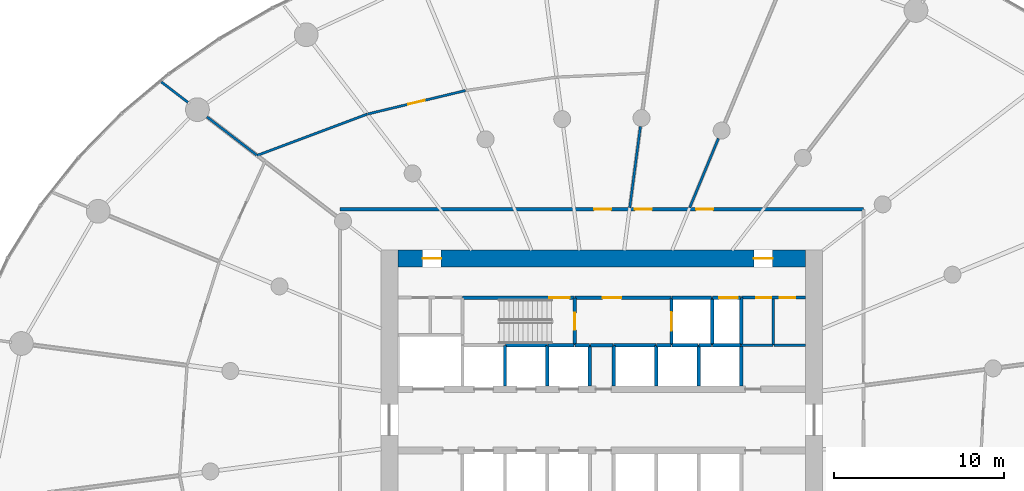
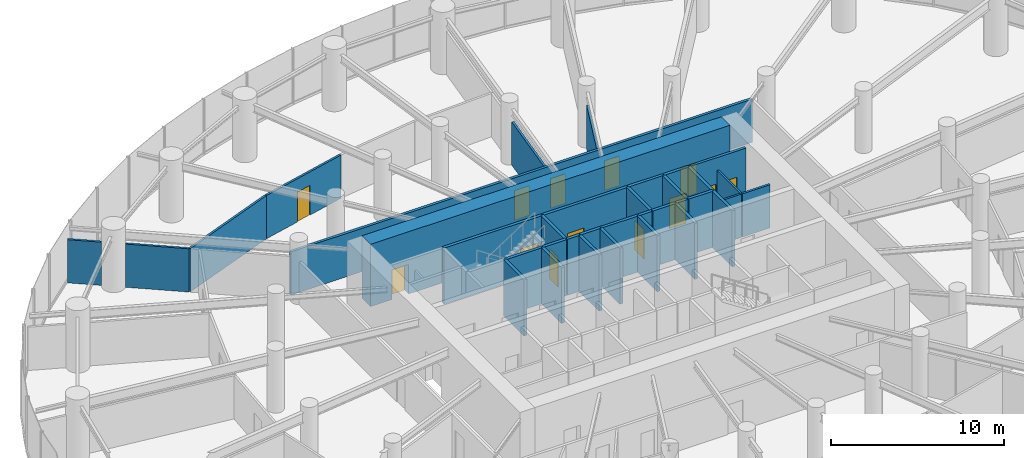
# One storey, part 15 of 19: 36 walls, 13 doors, 13 openings.
"""IFC4 building model written with IfcOpenShell, lengths in metres."""

from ifc_helpers import new_model, si_unit, direction, frame, frame_2d, origin, place, context, subcontext, project, spatial, rectangle, extrude, source, transform, mapped, material, layer, layer_set, type_object, element, fill, save


model = new_model("IFC4")

# Units and contexts
model_context = context("Model", 3, precision=1e-05, world=origin(), true_north=direction((0.0, 1.0)))
body_context = subcontext(model_context, "Body", "Model", "MODEL_VIEW")
ifc_project = project(units=[si_unit("LENGTHUNIT", "METRE"), si_unit("AREAUNIT", "SQUARE_METRE"), si_unit("VOLUMEUNIT", "CUBIC_METRE"), si_unit("PLANEANGLEUNIT", "RADIAN"), si_unit("MASSUNIT", "GRAM", prefix="KILO")], contexts=[model_context])

# Site, building, storey
site_placement = place(None, origin())
site = spatial("IfcSite", under=ifc_project, at=site_placement, CompositionType="ELEMENT")
building_placement = place(site_placement, origin())
building = spatial("IfcBuilding", under=site, at=building_placement, Name="Spindrift Exchange Tower", CompositionType="ELEMENT")
storey_placement = place(building_placement, frame((0.0, 0.0, 49.0)))
storey = spatial("IfcBuildingStorey", under=building, at=storey_placement, Name="L11", CompositionType="ELEMENT", Elevation=49.0)

# Wall, openings, doors
ifc_material_1 = material(Name="Concrete 80 MPa", Category="concrete")
ifc_layer_1 = layer(ifc_material_1, 1.0)
ifc_layer_set_1 = layer_set([ifc_layer_1], Name="RC Core Wall 1000 Concrete 80 MPa")
wall_type_1 = type_object("IfcWallType", Name="RC Core Wall 1000 Concrete 80 MPa", PredefinedType="SHEAR", material=ifc_layer_set_1)
wall_1_placement = place(storey_placement, frame((64.0, 57.5, 0.0), z_axis=(0.0, 0.0, 1.0), x_axis=(-1.0, 0.0, 0.0)))
wall_1 = element("IfcWall", 1, at=wall_1_placement, inside=storey, type_object=wall_type_1, Name="Core wall N L11", PredefinedType="SHEAR", context=body_context, shape_type="SweptSolid", body=[
    extrude(rectangle(XDim=24.0, YDim=1.0, at=frame_2d((12.0, 0.0))), origin(), (0.0, 0.0, 1.0), 4.39990234375),
])
opening_1_placement = place(wall_1_placement, frame((21.449951171875, 0.0, 0.0)))
opening_1 = element("IfcOpeningElement", 2, at=opening_1_placement, cuts=wall_1, Name="Opening L11-D20", PredefinedType="OPENING", context=body_context, shape_type="SweptSolid", body=[
    extrude(rectangle(XDim=1.10009765625, YDim=2.10009765625, at=frame_2d((0.550048828125, 1.050048828125))), frame((0.0, 0.510009765625, 0.0), z_axis=(0.0, -1.0, 0.0), x_axis=(1.0, 0.0, 0.0)), (0.0, 0.0, 1.0), 1.02001953125),
])
opening_2_placement = place(wall_1_placement, frame((1.949951171875, 0.0, 0.0)))
opening_2 = element("IfcOpeningElement", 3, at=opening_2_placement, cuts=wall_1, Name="Opening L11-D21", PredefinedType="OPENING", context=body_context, shape_type="SweptSolid", body=[
    extrude(rectangle(XDim=1.10009765625, YDim=2.10009765625, at=frame_2d((0.550048828125, 1.050048828125))), frame((0.0, 0.510009765625, 0.0), z_axis=(0.0, -1.0, 0.0), x_axis=(1.0, 0.0, 0.0)), (0.0, 0.0, 1.0), 1.02001953125),
])
ifc_material_2 = material(Name="Steel fire door", Category="steel")
door_type_1 = type_object("IfcDoorType", Name="DR-STAIR-1100", OperationType="NOTDEFINED", PredefinedType="DOOR", material=ifc_material_2)
shared_shape_1 = source(origin(), body_context, "Body", "SweptSolid", [
    extrude(rectangle(XDim=1.10009765625, YDim=2.10009765625, at=frame_2d((0.550048828125, 1.050048828125))), frame((0.0, 0.02490234375, 0.0), z_axis=(0.0, -1.0, 0.0), x_axis=(1.0, 0.0, 0.0)), (0.0, 0.0, 1.0), 0.050048828125),
])
door_1_placement = place(opening_1_placement, origin())
door_1 = element("IfcDoor", 4, at=door_1_placement, inside=storey, type_object=door_type_1, Name="L11 Stair door 20", OperationType="SINGLE_SWING_LEFT", OverallHeight=2.10009765625, OverallWidth=1.10009765625, PredefinedType="DOOR", context=body_context, shape_type="MappedRepresentation", body=[
    mapped(shared_shape_1, transform((0.0, 0.0, 0.0), scale=1.0)),
])
fill(opening_1, door_1)
door_2_placement = place(opening_2_placement, origin())
door_2 = element("IfcDoor", 5, at=door_2_placement, inside=storey, type_object=door_type_1, Name="L11 Stair door 21", OperationType="SINGLE_SWING_RIGHT", OverallHeight=2.10009765625, OverallWidth=1.10009765625, PredefinedType="DOOR", context=body_context, shape_type="MappedRepresentation", body=[
    mapped(shared_shape_1, transform((0.0, 0.0, 0.0), scale=1.0)),
])
fill(opening_2, door_2)

ifc_material_3 = material(Name="Fire-rated plasterboard partition", Category="gypsum")
ifc_layer_2 = layer(ifc_material_3, 0.179931640625)
ifc_layer_set_2 = layer_set([ifc_layer_2], Name="W-CORR-180")
wall_type_2 = type_object("IfcWallType", Name="W-CORR-180", PredefinedType="PARTITIONING", material=ifc_layer_set_2)
wall_2_placement = place(storey_placement, frame((63.97998046875, 55.199951171875, 0.0), z_axis=(0.0, 0.0, 1.0), x_axis=(-1.0, 0.0, 0.0)))
wall_2 = element("IfcWall", 6, at=wall_2_placement, inside=storey, type_object=wall_type_2, Name="L11 Partition wall 64", PredefinedType="PARTITIONING", context=body_context, shape_type="SweptSolid", body=[
    extrude(rectangle(XDim=3.75, YDim=0.179931640625, at=frame_2d((1.875, 0.0))), origin(), (0.0, 0.0, 1.0), 3.949951171875),
])
opening_3_placement = place(wall_2_placement, frame((2.0, 0.0, 0.0)))
opening_3 = element("IfcOpeningElement", 7, at=opening_3_placement, cuts=wall_2, Name="Opening L11-D51", PredefinedType="OPENING", context=body_context, shape_type="SweptSolid", body=[
    extrude(rectangle(XDim=0.89990234375, YDim=2.10009765625, at=frame_2d((0.449951171875, 1.050048828125))), frame((0.0, 0.099853515625, 0.0), z_axis=(0.0, -1.0, 0.0), x_axis=(1.0, 0.0, 0.0)), (0.0, 0.0, 1.0), 0.199951171875),
])
opening_4_placement = place(wall_2_placement, frame((0.60009765625, 0.0, 0.0)))
opening_4 = element("IfcOpeningElement", 8, at=opening_4_placement, cuts=wall_2, Name="Opening L11-D52", PredefinedType="OPENING", context=body_context, shape_type="SweptSolid", body=[
    extrude(rectangle(XDim=0.89990234375, YDim=2.10009765625, at=frame_2d((0.449951171875, 1.050048828125))), frame((0.0, 0.099853515625, 0.0), z_axis=(0.0, -1.0, 0.0), x_axis=(1.0, 0.0, 0.0)), (0.0, 0.0, 1.0), 0.199951171875),
])
ifc_material_4 = material(Name="Steel access door", Category="steel")
door_type_2 = type_object("IfcDoorType", Name="DR-RISER-900", OperationType="NOTDEFINED", PredefinedType="DOOR", material=ifc_material_4)
shared_shape_2 = source(origin(), body_context, "Body", "SweptSolid", [
    extrude(rectangle(XDim=0.89990234375, YDim=2.10009765625, at=frame_2d((0.449951171875, 1.050048828125))), frame((0.0, 0.02490234375, 0.0), z_axis=(0.0, -1.0, 0.0), x_axis=(1.0, 0.0, 0.0)), (0.0, 0.0, 1.0), 0.050048828125),
])
door_3_placement = place(opening_3_placement, origin())
door_3 = element("IfcDoor", 9, at=door_3_placement, inside=storey, type_object=door_type_2, Name="L11 Riser door 51", OperationType="SINGLE_SWING_RIGHT", OverallHeight=2.10009765625, OverallWidth=0.89990234375, PredefinedType="DOOR", context=body_context, shape_type="MappedRepresentation", body=[
    mapped(shared_shape_2, transform((0.0, 0.0, 0.0), scale=1.0)),
])
fill(opening_3, door_3)
door_4_placement = place(opening_4_placement, origin())
door_4 = element("IfcDoor", 10, at=door_4_placement, inside=storey, type_object=door_type_2, Name="L11 Riser door 52", OperationType="SINGLE_SWING_LEFT", OverallHeight=2.10009765625, OverallWidth=0.89990234375, PredefinedType="DOOR", context=body_context, shape_type="MappedRepresentation", body=[
    mapped(shared_shape_2, transform((0.0, 0.0, 0.0), scale=1.0)),
])
fill(opening_4, door_4)

# Wall
ifc_layer_3 = layer(ifc_material_3, 0.139892578125)
ifc_layer_set_3 = layer_set([ifc_layer_3], Name="W-PART-140")
wall_type_3 = type_object("IfcWallType", Name="W-PART-140", PredefinedType="PARTITIONING", material=ifc_layer_set_3)
wall_3_placement = place(storey_placement, frame((38.18994140625, 65.99755859375, 0.0), z_axis=(0.0, 0.0, 1.0), x_axis=(-0.936297270661, -0.35120851492, 0.0)))
element("IfcWall", 11, at=wall_3_placement, inside=storey, type_object=wall_type_3, Name="L11 Partition wall 76", PredefinedType="PARTITIONING", context=body_context, shape_type="SweptSolid", body=[
    extrude(rectangle(XDim=6.918701171875, YDim=0.139892578125, at=frame_2d((3.45947265625, 0.0))), origin(), (0.0, 0.0, 1.0), 3.050048828125),
])

# Wall, opening, door
wall_4_placement = place(storey_placement, frame((38.218994140625, 66.004638671875, 0.0), z_axis=(0.0, 0.0, 1.0), x_axis=(0.972386552633, 0.233376074734, 0.0)))
wall_4 = element("IfcWall", 12, at=wall_4_placement, inside=storey, type_object=wall_type_3, Name="L11 Partition wall 86", PredefinedType="PARTITIONING", context=body_context, shape_type="SweptSolid", body=[
    extrude(rectangle(XDim=5.914794921875, YDim=0.139892578125, at=frame_2d((2.95751953125, 0.0))), origin(), (0.0, 0.0, 1.0), 3.050048828125),
])
opening_5_placement = place(wall_4_placement, frame((2.464599609375, 0.0, 0.0)))
opening_5 = element("IfcOpeningElement", 13, at=opening_5_placement, cuts=wall_4, Name="Opening L11-D39", PredefinedType="OPENING", context=body_context, shape_type="SweptSolid", body=[
    extrude(rectangle(XDim=1.0, YDim=2.10009765625, at=frame_2d((0.5, 1.050048828125))), frame((0.0, 0.079833984375, 0.0), z_axis=(0.0, -1.0, 0.0), x_axis=(1.0, 0.0, 0.0)), (0.0, 0.0, 1.0), 0.159912109375),
])
ifc_material_5 = material(Name="Timber-core fire door", Category="wood")
door_type_3 = type_object("IfcDoorType", Name="DR-ROOM-1000", OperationType="NOTDEFINED", PredefinedType="DOOR", material=ifc_material_5)
shared_shape_3 = source(origin(), body_context, "Body", "SweptSolid", [
    extrude(rectangle(XDim=1.0, YDim=2.10009765625, at=frame_2d((0.5, 1.050048828125))), frame((0.0, 0.02490234375, 0.0), z_axis=(0.0, -1.0, 0.0), x_axis=(1.0, 0.0, 0.0)), (0.0, 0.0, 1.0), 0.050048828125),
])
door_5_placement = place(opening_5_placement, origin())
door_5 = element("IfcDoor", 14, at=door_5_placement, inside=storey, type_object=door_type_3, Name="L11 Door 39", OperationType="SINGLE_SWING_RIGHT", OverallHeight=2.10009765625, OverallWidth=1.0, PredefinedType="DOOR", context=body_context, shape_type="MappedRepresentation", body=[
    mapped(shared_shape_3, transform((0.0, 0.0, 0.0), scale=1.0)),
])
fill(opening_5, door_5)

# Walls
wall_5_placement = place(storey_placement, frame((31.68798828125, 63.5859375, 0.0), z_axis=(0.0, 0.0, 1.0), x_axis=(-0.793375408023, 0.608732668701, 0.0)))
element("IfcWall", 15, at=wall_5_placement, inside=storey, type_object=wall_type_3, Name="L11 Partition wall 105", PredefinedType="PARTITIONING", context=body_context, shape_type="SweptSolid", body=[
    extrude(rectangle(XDim=3.693115234375, YDim=0.139892578125, at=frame_2d((1.8466796875, 0.0))), origin(), (0.0, 0.0, 1.0), 3.050048828125),
])
wall_6_placement = place(storey_placement, frame((62.10009765625, 52.39990234375, 0.0), z_axis=(0.0, 0.0, 1.0), x_axis=(0.0, 1.0, 0.0)))
element("IfcWall", 16, at=wall_6_placement, inside=storey, type_object=wall_type_3, Name="L11 Partition wall 109", PredefinedType="PARTITIONING", context=body_context, shape_type="SweptSolid", body=[
    extrude(rectangle(XDim=2.710205078125, YDim=0.139892578125, at=frame_2d((1.35498046875, 0.0))), origin(), (0.0, 0.0, 1.0), 3.050048828125),
])
wall_7_placement = place(storey_placement, frame((27.640625, 66.69140625, 0.0), z_axis=(0.0, 0.0, 1.0), x_axis=(-0.793312100237, 0.608815170325, 0.0)))
element("IfcWall", 17, at=wall_7_placement, inside=storey, type_object=wall_type_3, Name="L11 Partition wall 121", PredefinedType="PARTITIONING", context=body_context, shape_type="SweptSolid", body=[
    extrude(rectangle(XDim=1.97705078125, YDim=0.139892578125, at=frame_2d((0.988525390625, 0.0))), origin(), (0.0, 0.0, 1.0), 3.050048828125),
])
wall_8_placement = place(storey_placement, frame((62.070068359375, 52.39990234375, 0.0), z_axis=(0.0, 0.0, 1.0), x_axis=(-1.0, 0.0, 0.0)))
element("IfcWall", 18, at=wall_8_placement, inside=storey, type_object=wall_type_3, Name="L11 Partition wall 123", PredefinedType="PARTITIONING", context=body_context, shape_type="SweptSolid", body=[
    extrude(rectangle(XDim=1.840087890625, YDim=0.139892578125, at=frame_2d((0.919921875, 0.0))), origin(), (0.0, 0.0, 1.0), 3.050048828125),
])
wall_9_placement = place(storey_placement, frame((63.97998046875, 52.39990234375, 0.0), z_axis=(0.0, 0.0, 1.0), x_axis=(-1.0, 0.0, 0.0)))
element("IfcWall", 19, at=wall_9_placement, inside=storey, type_object=wall_type_3, Name="L11 Partition wall 124", PredefinedType="PARTITIONING", context=body_context, shape_type="SweptSolid", body=[
    extrude(rectangle(XDim=1.85009765625, YDim=0.139892578125, at=frame_2d((0.925048828125, 0.0))), origin(), (0.0, 0.0, 1.0), 3.050048828125),
])
ifc_layer_4 = layer(ifc_material_3, 0.139892578125)
ifc_layer_set_4 = layer_set([ifc_layer_4], Name="W-PLANT-140")
wall_type_4 = type_object("IfcWallType", Name="W-PLANT-140", PredefinedType="PARTITIONING", material=ifc_layer_set_4)
wall_10_placement = place(storey_placement, frame((53.644287109375, 60.489990234375, 0.0), z_axis=(0.0, 0.0, 1.0), x_axis=(0.130523979823, 0.991445152639, 0.0)))
element("IfcWall", 20, at=wall_10_placement, inside=storey, type_object=wall_type_4, Name="L11 Partition wall 98", PredefinedType="PARTITIONING", context=body_context, shape_type="SweptSolid", body=[
    extrude(rectangle(XDim=4.818359375, YDim=0.139892578125, at=frame_2d((2.4091796875, 0.0))), origin(), (0.0, 0.0, 1.0), 3.050048828125),
])
wall_11_placement = place(storey_placement, frame((57.173583984375, 60.489990234375, 0.0), z_axis=(0.0, 0.0, 1.0), x_axis=(0.382672831764, 0.923883923353, 0.0)))
element("IfcWall", 21, at=wall_11_placement, inside=storey, type_object=wall_type_4, Name="L11 Partition wall 100", PredefinedType="PARTITIONING", context=body_context, shape_type="SweptSolid", body=[
    extrude(rectangle(XDim=4.410400390625, YDim=0.139892578125, at=frame_2d((2.205078125, 0.0))), origin(), (0.0, 0.0, 1.0), 3.050048828125),
])

# Wall, openings, doors
ifc_layer_5 = layer(ifc_material_3, 0.179931640625)
ifc_layer_set_5 = layer_set([ifc_layer_5], Name="W-PLANT-180")
wall_type_5 = type_object("IfcWallType", Name="W-PLANT-180", PredefinedType="PARTITIONING", material=ifc_layer_set_5)
wall_12_placement = place(storey_placement, frame((36.60009765625, 60.39990234375, 0.0), z_axis=(0.0, 0.0, 1.0), x_axis=(1.0, 0.0, 0.0)))
wall_12 = element("IfcWall", 22, at=wall_12_placement, inside=storey, type_object=wall_type_5, Name="L11 Partition wall 58", PredefinedType="PARTITIONING", context=body_context, shape_type="SweptSolid", body=[
    extrude(rectangle(XDim=30.7998046875, YDim=0.179931640625, at=frame_2d((15.39990234375, 0.0))), origin(), (0.0, 0.0, 1.0), 3.050048828125),
])
opening_6_placement = place(wall_12_placement, frame((20.949951171875, 0.0, 0.0)))
opening_6 = element("IfcOpeningElement", 23, at=opening_6_placement, cuts=wall_12, Name="Opening L11-D36", PredefinedType="OPENING", context=body_context, shape_type="SweptSolid", body=[
    extrude(rectangle(XDim=1.0, YDim=2.10009765625, at=frame_2d((0.5, 1.050048828125))), frame((0.0, 0.099853515625, 0.0), z_axis=(0.0, -1.0, 0.0), x_axis=(1.0, 0.0, 0.0)), (0.0, 0.0, 1.0), 0.199951171875),
])
opening_7_placement = place(wall_12_placement, frame((17.35009765625, 0.0, 0.0)))
opening_7 = element("IfcOpeningElement", 24, at=opening_7_placement, cuts=wall_12, Name="Opening L11-D37", PredefinedType="OPENING", context=body_context, shape_type="SweptSolid", body=[
    extrude(rectangle(XDim=1.0, YDim=2.10009765625, at=frame_2d((0.5, 1.050048828125))), frame((0.0, 0.099853515625, 0.0), z_axis=(0.0, -1.0, 0.0), x_axis=(1.0, 0.0, 0.0)), (0.0, 0.0, 1.0), 0.199951171875),
])
opening_8_placement = place(wall_12_placement, frame((14.949951171875, 0.0, 0.0)))
opening_8 = element("IfcOpeningElement", 25, at=opening_8_placement, cuts=wall_12, Name="Opening L11-D38", PredefinedType="OPENING", context=body_context, shape_type="SweptSolid", body=[
    extrude(rectangle(XDim=1.0, YDim=2.10009765625, at=frame_2d((0.5, 1.050048828125))), frame((0.0, 0.099853515625, 0.0), z_axis=(0.0, -1.0, 0.0), x_axis=(1.0, 0.0, 0.0)), (0.0, 0.0, 1.0), 0.199951171875),
])
door_6_placement = place(opening_6_placement, origin())
door_6 = element("IfcDoor", 26, at=door_6_placement, inside=storey, type_object=door_type_3, Name="L11 Door 36", OperationType="SINGLE_SWING_LEFT", OverallHeight=2.10009765625, OverallWidth=1.0, PredefinedType="DOOR", context=body_context, shape_type="MappedRepresentation", body=[
    mapped(shared_shape_3, transform((0.0, 0.0, 0.0), scale=1.0)),
])
fill(opening_6, door_6)
door_7_placement = place(opening_7_placement, origin())
door_7 = element("IfcDoor", 27, at=door_7_placement, inside=storey, type_object=door_type_3, Name="L11 Door 37", OperationType="SINGLE_SWING_RIGHT", OverallHeight=2.10009765625, OverallWidth=1.0, PredefinedType="DOOR", context=body_context, shape_type="MappedRepresentation", body=[
    mapped(shared_shape_3, transform((0.0, 0.0, 0.0), scale=1.0)),
])
fill(opening_7, door_7)
door_8_placement = place(opening_8_placement, origin())
door_8 = element("IfcDoor", 28, at=door_8_placement, inside=storey, type_object=door_type_3, Name="L11 Door 38", OperationType="SINGLE_SWING_LEFT", OverallHeight=2.10009765625, OverallWidth=1.0, PredefinedType="DOOR", context=body_context, shape_type="MappedRepresentation", body=[
    mapped(shared_shape_3, transform((0.0, 0.0, 0.0), scale=1.0)),
])
fill(opening_8, door_8)

# Wall, opening, door
ifc_material_6 = material(Name="Concrete 40 MPa", Category="concrete")
ifc_layer_6 = layer(ifc_material_6, 0.199951171875)
ifc_layer_set_6 = layer_set([ifc_layer_6], Name="W-SHAFT-200")
wall_type_6 = type_object("IfcWallType", Name="W-SHAFT-200", PredefinedType="SOLIDWALL", material=ifc_layer_set_6)
wall_13_placement = place(storey_placement, frame((56.10009765625, 55.169921875, 0.0), z_axis=(0.0, 0.0, 1.0), x_axis=(0.0, -1.0, 0.0)))
wall_13 = element("IfcWall", 29, at=wall_13_placement, inside=storey, type_object=wall_type_6, Name="L11 Shaft wall 12", PredefinedType="SOLIDWALL", context=body_context, shape_type="SweptSolid", body=[
    extrude(rectangle(XDim=2.77001953125, YDim=0.199951171875, at=frame_2d((1.385009765625, 0.0))), origin(), (0.0, 0.0, 1.0), 3.949951171875),
])
opening_9_placement = place(wall_13_placement, frame((0.820068359375, 0.0, 0.0)))
opening_9 = element("IfcOpeningElement", 30, at=opening_9_placement, cuts=wall_13, Name="Opening L11-D9", PredefinedType="OPENING", context=body_context, shape_type="SweptSolid", body=[
    extrude(rectangle(XDim=1.10009765625, YDim=2.10009765625, at=frame_2d((0.550048828125, 1.050048828125))), frame((0.0, 0.10986328125, 0.0), z_axis=(0.0, -1.0, 0.0), x_axis=(1.0, 0.0, 0.0)), (0.0, 0.0, 1.0), 0.219970703125),
])
ifc_material_7 = material(Name="Stainless steel landing door", Category="steel")
door_type_4 = type_object("IfcDoorType", Name="DR-LANDING-1100-SL", OperationType="DOUBLE_DOOR_SLIDING", PredefinedType="USERDEFINED", material=ifc_material_7)
shared_shape_4 = source(origin(), body_context, "Body", "SweptSolid", [
    extrude(rectangle(XDim=1.10009765625, YDim=2.10009765625, at=frame_2d((0.550048828125, 1.050048828125))), frame((0.0, 0.02490234375, 0.0), z_axis=(0.0, -1.0, 0.0), x_axis=(1.0, 0.0, 0.0)), (0.0, 0.0, 1.0), 0.050048828125),
])
door_9_placement = place(opening_9_placement, origin())
door_9 = element("IfcDoor", 31, at=door_9_placement, inside=storey, type_object=door_type_4, Name="L11 Lift landing door 9", ObjectType="LANDING DOOR", OperationType="DOUBLE_DOOR_SLIDING", OverallHeight=2.10009765625, OverallWidth=1.10009765625, PredefinedType="USERDEFINED", context=body_context, shape_type="MappedRepresentation", body=[
    mapped(shared_shape_4, transform((0.0, 0.0, 0.0), scale=1.0)),
])
fill(opening_9, door_9)

# Walls
for number, where, z_axis, x_axis, name in (
    (32, (58.5, 52.39990234375, 0.0), (0.0, 0.0, 1.0), (0.0, 1.0, 0.0), "L11 Shaft wall 13"),
    (33, (60.199951171875, 52.39990234375, 0.0), (0.0, 0.0, 1.0), (0.0, 1.0, 0.0), "L11 Shaft wall 14"),
):
    element("IfcWall", number, at=place(storey_placement, frame(where, z_axis=z_axis, x_axis=x_axis)), inside=storey, type_object=wall_type_6, Name=name, PredefinedType="SOLIDWALL", context=body_context, shape_type="SweptSolid", body=[
        extrude(rectangle(XDim=2.800048828125, YDim=0.199951171875, at=frame_2d((1.39990234375, 0.0))), origin(), (0.0, 0.0, 1.0), 3.949951171875),
    ])
wall_14_placement = place(storey_placement, frame((55.199951171875, 52.39990234375, 0.0), z_axis=(0.0, 0.0, 1.0), x_axis=(-1.0, 0.0, 0.0)))
element("IfcWall", 34, at=wall_14_placement, inside=storey, type_object=wall_type_6, Name="L11 Shaft wall 18", PredefinedType="SOLIDWALL", context=body_context, shape_type="SweptSolid", body=[
    extrude(rectangle(XDim=2.5, YDim=0.199951171875, at=frame_2d((1.25, 0.0))), origin(), (0.0, 0.0, 1.0), 3.949951171875),
])
wall_15_placement = place(storey_placement, frame((58.469970703125, 55.199951171875, 0.0), z_axis=(0.0, 0.0, 1.0), x_axis=(-1.0, 0.0, 0.0)))
element("IfcWall", 35, at=wall_15_placement, inside=storey, type_object=wall_type_6, Name="L11 Shaft wall 22", PredefinedType="SOLIDWALL", context=body_context, shape_type="SweptSolid", body=[
    extrude(rectangle(XDim=2.340087890625, YDim=0.199951171875, at=frame_2d((1.169921875, 0.0))), origin(), (0.0, 0.0, 1.0), 3.949951171875),
])
wall_16_placement = place(storey_placement, frame((51.300048828125, 50.010009765625, 0.0), z_axis=(0.0, 0.0, 1.0), x_axis=(0.0, 1.0, 0.0)))
element("IfcWall", 36, at=wall_16_placement, inside=storey, type_object=wall_type_6, Name="L11 Shaft wall 30", PredefinedType="SOLIDWALL", context=body_context, shape_type="SweptSolid", body=[
    extrude(rectangle(XDim=2.389892578125, YDim=0.199951171875, at=frame_2d((1.19482421875, 0.0))), origin(), (0.0, 0.0, 1.0), 3.949951171875),
])
for number, where, z_axis, x_axis, name in (
    (37, (52.699951171875, 52.3701171875, 0.0), (0.0, 0.0, 1.0), (0.0, -1.0, 0.0), "L11 Shaft wall 32"),
    (38, (55.199951171875, 50.010009765625, 0.0), (0.0, 0.0, 1.0), (0.0, 1.0, 0.0), "L11 Shaft wall 34"),
):
    element("IfcWall", number, at=place(storey_placement, frame(where, z_axis=z_axis, x_axis=x_axis)), inside=storey, type_object=wall_type_6, Name=name, PredefinedType="SOLIDWALL", context=body_context, shape_type="SweptSolid", body=[
        extrude(rectangle(XDim=2.360107421875, YDim=0.199951171875, at=frame_2d((1.18017578125, 0.0))), origin(), (0.0, 0.0, 1.0), 3.949951171875),
    ])
wall_17_placement = place(storey_placement, frame((57.699951171875, 50.010009765625, 0.0), z_axis=(0.0, 0.0, 1.0), x_axis=(0.0, 1.0, 0.0)))
element("IfcWall", 39, at=wall_17_placement, inside=storey, type_object=wall_type_6, Name="L11 Shaft wall 36", PredefinedType="SOLIDWALL", context=body_context, shape_type="SweptSolid", body=[
    extrude(rectangle(XDim=2.389892578125, YDim=0.199951171875, at=frame_2d((1.19482421875, 0.0))), origin(), (0.0, 0.0, 1.0), 3.949951171875),
])
wall_18_placement = place(storey_placement, frame((60.199951171875, 50.010009765625, 0.0), z_axis=(0.0, 0.0, 1.0), x_axis=(0.0, 1.0, 0.0)))
element("IfcWall", 40, at=wall_18_placement, inside=storey, type_object=wall_type_6, Name="L11 Shaft wall 38", PredefinedType="SOLIDWALL", context=body_context, shape_type="SweptSolid", body=[
    extrude(rectangle(XDim=2.360107421875, YDim=0.199951171875, at=frame_2d((1.18017578125, 0.0))), origin(), (0.0, 0.0, 1.0), 3.949951171875),
])
wall_19_placement = place(storey_placement, frame((60.169921875, 52.39990234375, 0.0), z_axis=(0.0, 0.0, 1.0), x_axis=(-1.0, 0.0, 0.0)))
element("IfcWall", 41, at=wall_19_placement, inside=storey, type_object=wall_type_6, Name="L11 Shaft wall 42", PredefinedType="SOLIDWALL", context=body_context, shape_type="SweptSolid", body=[
    extrude(rectangle(XDim=1.639892578125, YDim=0.199951171875, at=frame_2d((0.81982421875, 0.0))), origin(), (0.0, 0.0, 1.0), 3.949951171875),
])

# Wall, opening, door
wall_20_placement = place(storey_placement, frame((60.169921875, 55.199951171875, 0.0), z_axis=(0.0, 0.0, 1.0), x_axis=(-1.0, 0.0, 0.0)))
wall_20 = element("IfcWall", 42, at=wall_20_placement, inside=storey, type_object=wall_type_6, Name="L11 Shaft wall 43", PredefinedType="SOLIDWALL", context=body_context, shape_type="SweptSolid", body=[
    extrude(rectangle(XDim=1.639892578125, YDim=0.199951171875, at=frame_2d((0.81982421875, 0.0))), origin(), (0.0, 0.0, 1.0), 3.949951171875),
])
opening_10_placement = place(wall_20_placement, frame((0.169921875, 0.0, 0.0)))
opening_10 = element("IfcOpeningElement", 43, at=opening_10_placement, cuts=wall_20, Name="Opening L11-D11", PredefinedType="OPENING", context=body_context, shape_type="SweptSolid", body=[
    extrude(rectangle(XDim=1.10009765625, YDim=2.10009765625, at=frame_2d((0.550048828125, 1.050048828125))), frame((0.0, 0.10986328125, 0.0), z_axis=(0.0, -1.0, 0.0), x_axis=(1.0, 0.0, 0.0)), (0.0, 0.0, 1.0), 0.219970703125),
])
door_10_placement = place(opening_10_placement, origin())
door_10 = element("IfcDoor", 44, at=door_10_placement, inside=storey, type_object=door_type_4, Name="L11 Lift landing door 11", ObjectType="LANDING DOOR", OperationType="DOUBLE_DOOR_SLIDING", OverallHeight=2.10009765625, OverallWidth=1.10009765625, PredefinedType="USERDEFINED", context=body_context, shape_type="MappedRepresentation", body=[
    mapped(shared_shape_4, transform((0.0, 0.0, 0.0), scale=1.0)),
])
fill(opening_10, door_10)

# Walls
wall_21_placement = place(storey_placement, frame((57.669921875, 52.39990234375, 0.0), z_axis=(0.0, 0.0, 1.0), x_axis=(-1.0, 0.0, 0.0)))
element("IfcWall", 45, at=wall_21_placement, inside=storey, type_object=wall_type_6, Name="L11 Shaft wall 47", PredefinedType="SOLIDWALL", context=body_context, shape_type="SweptSolid", body=[
    extrude(rectangle(XDim=1.5400390625, YDim=0.199951171875, at=frame_2d((0.77001953125, 0.0))), origin(), (0.0, 0.0, 1.0), 3.949951171875),
])
wall_22_placement = place(storey_placement, frame((51.330078125, 52.39990234375, 0.0), z_axis=(0.0, 0.0, 1.0), x_axis=(1.0, 0.0, 0.0)))
element("IfcWall", 46, at=wall_22_placement, inside=storey, type_object=wall_type_6, Name="L11 Shaft wall 49", PredefinedType="SOLIDWALL", context=body_context, shape_type="SweptSolid", body=[
    extrude(rectangle(XDim=1.33984375, YDim=0.199951171875, at=frame_2d((0.669921875, 0.0))), origin(), (0.0, 0.0, 1.0), 3.949951171875),
])
wall_23_placement = place(storey_placement, frame((56.070068359375, 52.39990234375, 0.0), z_axis=(0.0, 0.0, 1.0), x_axis=(-1.0, 0.0, 0.0)))
element("IfcWall", 47, at=wall_23_placement, inside=storey, type_object=wall_type_6, Name="L11 Shaft wall 53", PredefinedType="SOLIDWALL", context=body_context, shape_type="SweptSolid", body=[
    extrude(rectangle(XDim=0.840087890625, YDim=0.199951171875, at=frame_2d((0.419921875, 0.0))), origin(), (0.0, 0.0, 1.0), 3.949951171875),
])
wall_24_placement = place(storey_placement, frame((58.469970703125, 52.39990234375, 0.0), z_axis=(0.0, 0.0, 1.0), x_axis=(-1.0, 0.0, 0.0)))
element("IfcWall", 48, at=wall_24_placement, inside=storey, type_object=wall_type_6, Name="L11 Shaft wall 55", PredefinedType="SOLIDWALL", context=body_context, shape_type="SweptSolid", body=[
    extrude(rectangle(XDim=0.739990234375, YDim=0.199951171875, at=frame_2d((0.3701171875, 0.0))), origin(), (0.0, 0.0, 1.0), 3.949951171875),
])

# Wall, opening, door
ifc_layer_7 = layer(ifc_material_6, 0.199951171875)
ifc_layer_set_7 = layer_set([ifc_layer_7], Name="W-SHAFT-200-LB")
wall_type_7 = type_object("IfcWallType", Name="W-SHAFT-200-LB", PredefinedType="SOLIDWALL", material=ifc_layer_set_7)
wall_25_placement = place(storey_placement, frame((50.39990234375, 55.199951171875, 0.0), z_axis=(0.0, 0.0, 1.0), x_axis=(-1.0, 0.0, 0.0)))
wall_25 = element("IfcWall", 49, at=wall_25_placement, inside=storey, type_object=wall_type_7, Name="L11 Shaft wall 1", PredefinedType="SOLIDWALL", context=body_context, shape_type="SweptSolid", body=[
    extrude(rectangle(XDim=6.599853515625, YDim=0.199951171875, at=frame_2d((3.2998046875, 0.0))), origin(), (0.0, 0.0, 1.0), 3.949951171875),
])
opening_11_placement = place(wall_25_placement, frame((0.300048828125, 0.0, 0.0)))
opening_11 = element("IfcOpeningElement", 50, at=opening_11_placement, cuts=wall_25, Name="Opening L11-D13", PredefinedType="OPENING", context=body_context, shape_type="SweptSolid", body=[
    extrude(rectangle(XDim=1.199951171875, YDim=2.10009765625, at=frame_2d((0.60009765625, 1.050048828125))), frame((0.0, 0.10986328125, 0.0), z_axis=(0.0, -1.0, 0.0), x_axis=(1.0, 0.0, 0.0)), (0.0, 0.0, 1.0), 0.219970703125),
])
door_type_5 = type_object("IfcDoorType", Name="DR-STAIR-1200", OperationType="NOTDEFINED", PredefinedType="DOOR", material=ifc_material_2)
shared_shape_5 = source(origin(), body_context, "Body", "SweptSolid", [
    extrude(rectangle(XDim=1.199951171875, YDim=2.10009765625, at=frame_2d((0.60009765625, 1.050048828125))), frame((0.0, 0.02490234375, 0.0), z_axis=(0.0, -1.0, 0.0), x_axis=(1.0, 0.0, 0.0)), (0.0, 0.0, 1.0), 0.050048828125),
])
door_11_placement = place(opening_11_placement, origin())
door_11 = element("IfcDoor", 51, at=door_11_placement, inside=storey, type_object=door_type_5, Name="L11 Stair door 13", OperationType="SINGLE_SWING_RIGHT", OverallHeight=2.10009765625, OverallWidth=1.199951171875, PredefinedType="DOOR", context=body_context, shape_type="MappedRepresentation", body=[
    mapped(shared_shape_5, transform((0.0, 0.0, 0.0), scale=1.0)),
])
fill(opening_11, door_11)

wall_26_placement = place(storey_placement, frame((56.10009765625, 55.199951171875, 0.0), z_axis=(0.0, 0.0, 1.0), x_axis=(-1.0, 0.0, 0.0)))
wall_26 = element("IfcWall", 52, at=wall_26_placement, inside=storey, type_object=wall_type_7, Name="L11 Shaft wall 4", PredefinedType="SOLIDWALL", context=body_context, shape_type="SweptSolid", body=[
    extrude(rectangle(XDim=5.670166015625, YDim=0.199951171875, at=frame_2d((2.8349609375, 0.0))), origin(), (0.0, 0.0, 1.0), 3.949951171875),
])
opening_12_placement = place(wall_26_placement, frame((2.949951171875, 0.0, 0.0)))
opening_12 = element("IfcOpeningElement", 53, at=opening_12_placement, cuts=wall_26, Name="Opening L11-D15", PredefinedType="OPENING", context=body_context, shape_type="SweptSolid", body=[
    extrude(rectangle(XDim=1.10009765625, YDim=2.10009765625, at=frame_2d((0.550048828125, 1.050048828125))), frame((0.0, 0.10986328125, 0.0), z_axis=(0.0, -1.0, 0.0), x_axis=(1.0, 0.0, 0.0)), (0.0, 0.0, 1.0), 0.219970703125),
])
door_type_6 = type_object("IfcDoorType", Name="DR-LOBBY-1100", OperationType="NOTDEFINED", PredefinedType="DOOR", material=ifc_material_5)
shared_shape_6 = source(origin(), body_context, "Body", "SweptSolid", [
    extrude(rectangle(XDim=1.10009765625, YDim=2.10009765625, at=frame_2d((0.550048828125, 1.050048828125))), frame((0.0, 0.02490234375, 0.0), z_axis=(0.0, -1.0, 0.0), x_axis=(1.0, 0.0, 0.0)), (0.0, 0.0, 1.0), 0.050048828125),
])
door_12_placement = place(opening_12_placement, origin())
door_12 = element("IfcDoor", 54, at=door_12_placement, inside=storey, type_object=door_type_6, Name="L11 Lobby door 15", OperationType="SINGLE_SWING_RIGHT", OverallHeight=2.10009765625, OverallWidth=1.10009765625, PredefinedType="DOOR", context=body_context, shape_type="MappedRepresentation", body=[
    mapped(shared_shape_6, transform((0.0, 0.0, 0.0), scale=1.0)),
])
fill(opening_12, door_12)

wall_27_placement = place(storey_placement, frame((50.39990234375, 52.39990234375, 0.0), z_axis=(0.0, 0.0, 1.0), x_axis=(0.0, 1.0, 0.0)))
wall_27 = element("IfcWall", 55, at=wall_27_placement, inside=storey, type_object=wall_type_7, Name="L11 Shaft wall 9", PredefinedType="SOLIDWALL", context=body_context, shape_type="SweptSolid", body=[
    extrude(rectangle(XDim=2.77001953125, YDim=0.199951171875, at=frame_2d((1.385009765625, 0.0))), origin(), (0.0, 0.0, 1.0), 3.949951171875),
])
opening_13_placement = place(wall_27_placement, frame((0.89990234375, 0.0, 0.0)))
opening_13 = element("IfcOpeningElement", 56, at=opening_13_placement, cuts=wall_27, Name="Opening L11-D14", PredefinedType="OPENING", context=body_context, shape_type="SweptSolid", body=[
    extrude(rectangle(XDim=1.0, YDim=2.10009765625, at=frame_2d((0.5, 1.050048828125))), frame((0.0, 0.10986328125, 0.0), z_axis=(0.0, -1.0, 0.0), x_axis=(1.0, 0.0, 0.0)), (0.0, 0.0, 1.0), 0.219970703125),
])
door_type_7 = type_object("IfcDoorType", Name="DR-STAIR-1000", OperationType="NOTDEFINED", PredefinedType="DOOR", material=ifc_material_2)
shared_shape_7 = source(origin(), body_context, "Body", "SweptSolid", [
    extrude(rectangle(XDim=1.0, YDim=2.10009765625, at=frame_2d((0.5, 1.050048828125))), frame((0.0, 0.02490234375, 0.0), z_axis=(0.0, -1.0, 0.0), x_axis=(1.0, 0.0, 0.0)), (0.0, 0.0, 1.0), 0.050048828125),
])
door_13_placement = place(opening_13_placement, origin())
door_13 = element("IfcDoor", 57, at=door_13_placement, inside=storey, type_object=door_type_7, Name="L11 Stair door 14", OperationType="SINGLE_SWING_LEFT", OverallHeight=2.10009765625, OverallWidth=1.0, PredefinedType="DOOR", context=body_context, shape_type="MappedRepresentation", body=[
    mapped(shared_shape_7, transform((0.0, 0.0, 0.0), scale=1.0)),
])
fill(opening_13, door_13)

# Walls
wall_28_placement = place(storey_placement, frame((48.800048828125, 52.39990234375, 0.0), z_axis=(0.0, 0.0, 1.0), x_axis=(-1.0, 0.0, 0.0)))
element("IfcWall", 58, at=wall_28_placement, inside=storey, type_object=wall_type_7, Name="L11 Shaft wall 16", PredefinedType="SOLIDWALL", context=body_context, shape_type="SweptSolid", body=[
    extrude(rectangle(XDim=2.469970703125, YDim=0.199951171875, at=frame_2d((1.23486328125, 0.0))), origin(), (0.0, 0.0, 1.0), 3.949951171875),
])
for number, where, z_axis, x_axis, name in (
    (59, (46.300048828125, 50.010009765625, 0.0), (0.0, 0.0, 1.0), (0.0, 1.0, 0.0), "L11 Shaft wall 26"),
    (60, (48.800048828125, 50.010009765625, 0.0), (0.0, 0.0, 1.0), (0.0, 1.0, 0.0), "L11 Shaft wall 28"),
):
    element("IfcWall", number, at=place(storey_placement, frame(where, z_axis=z_axis, x_axis=x_axis)), inside=storey, type_object=wall_type_7, Name=name, PredefinedType="SOLIDWALL", context=body_context, shape_type="SweptSolid", body=[
        extrude(rectangle(XDim=2.360107421875, YDim=0.199951171875, at=frame_2d((1.18017578125, 0.0))), origin(), (0.0, 0.0, 1.0), 3.949951171875),
    ])
wall_29_placement = place(storey_placement, frame((50.3701171875, 52.39990234375, 0.0), z_axis=(0.0, 0.0, 1.0), x_axis=(-1.0, 0.0, 0.0)))
element("IfcWall", 61, at=wall_29_placement, inside=storey, type_object=wall_type_7, Name="L11 Shaft wall 45", PredefinedType="SOLIDWALL", context=body_context, shape_type="SweptSolid", body=[
    extrude(rectangle(XDim=1.5400390625, YDim=0.199951171875, at=frame_2d((0.77001953125, 0.0))), origin(), (0.0, 0.0, 1.0), 3.949951171875),
])
wall_30_placement = place(storey_placement, frame((51.27001953125, 52.39990234375, 0.0), z_axis=(0.0, 0.0, 1.0), x_axis=(-1.0, 0.0, 0.0)))
element("IfcWall", 62, at=wall_30_placement, inside=storey, type_object=wall_type_7, Name="L11 Shaft wall 51", PredefinedType="SOLIDWALL", context=body_context, shape_type="SweptSolid", body=[
    extrude(rectangle(XDim=0.840087890625, YDim=0.199951171875, at=frame_2d((0.419921875, 0.0))), origin(), (0.0, 0.0, 1.0), 3.949951171875),
])

save(model, "model.ifc")
